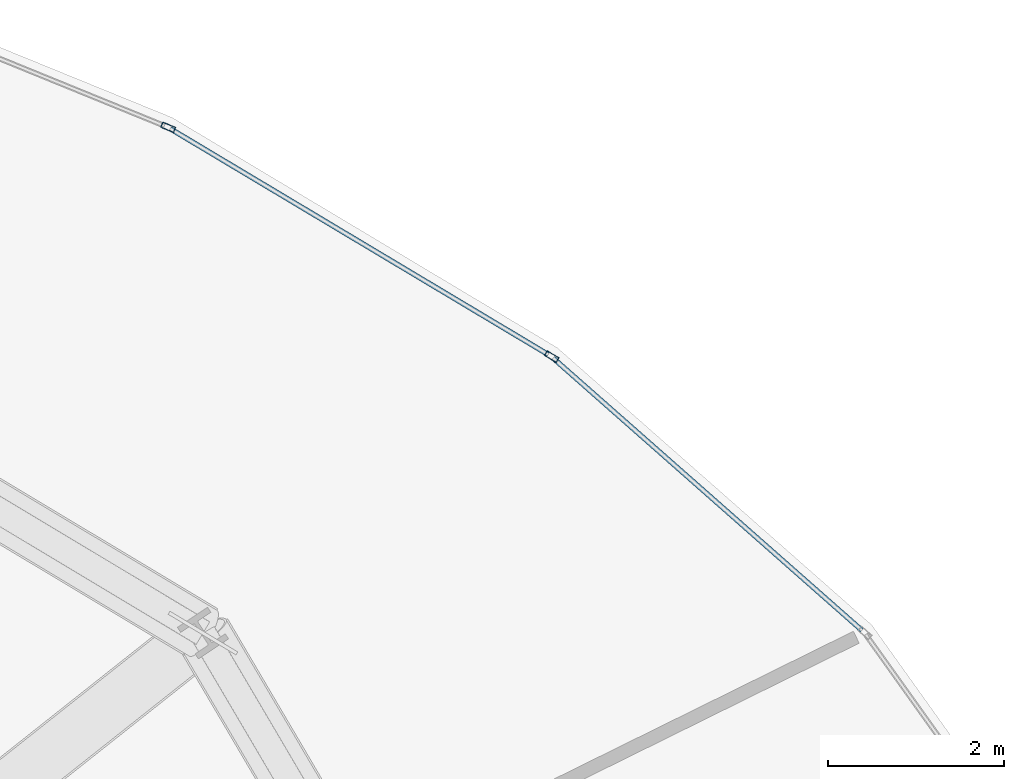
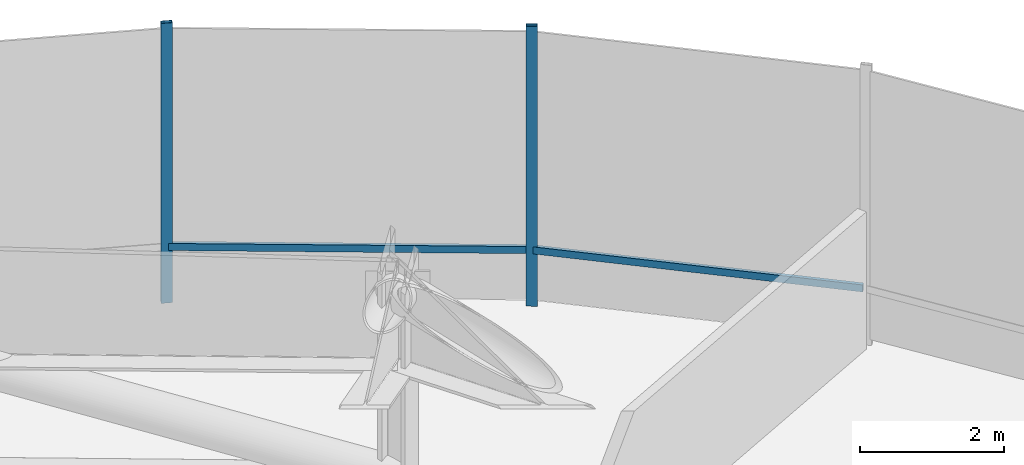
# One storey, part 24 of 33: 4 members, 1 element without a shape of its own.
"""IFC4 building model written with IfcOpenShell, lengths in metres."""

from ifc_helpers import new_model, si_unit, direction, frame, origin, origin_2d, place, context, subcontext, project, spatial, hollow_rectangle, extrude, source, transform, mapped, material, layer, layer_set, material_profile, profile_set, type_object, element, aggregate, save


model = new_model("IFC4")

# Units and contexts
model_context = context("Model", 3, precision=1e-05, world=origin(), true_north=direction((0.0, 1.0)))
body_context = subcontext(model_context, "Body", "Model", "MODEL_VIEW")
ifc_project = project(units=[si_unit("LENGTHUNIT", "METRE"), si_unit("AREAUNIT", "SQUARE_METRE"), si_unit("VOLUMEUNIT", "CUBIC_METRE"), si_unit("PLANEANGLEUNIT", "RADIAN"), si_unit("MASSUNIT", "GRAM", prefix="KILO"), si_unit("THERMODYNAMICTEMPERATUREUNIT", "KELVIN")], contexts=[model_context])

# Site, building, storey
site_placement = place(None, origin())
site = spatial("IfcSite", under=ifc_project, at=site_placement, CompositionType="ELEMENT")
building_placement = place(site_placement, origin())
building = spatial("IfcBuilding", under=site, at=building_placement, Name="Kethvar Cultural Tower", CompositionType="ELEMENT")
storey_placement = place(building_placement, frame((0.0, 0.0, 80.39990234375)))
storey = spatial("IfcBuildingStorey", under=building, at=storey_placement, Name="L19", CompositionType="ELEMENT", Elevation=80.39990234375)

# Curtain wall, members
ifc_material = material(Name="Aluminium 6063-T6", Category="aluminium")
ifc_layer = layer(ifc_material, 0.179931640625, Name="Aluminium 6063-T6", Category="aluminium")
ifc_layer_set = layer_set([ifc_layer], Name="Aluminium 6063-T6 (180 mm)")
curtain_wall_type = type_object("IfcCurtainWallType", Name="CW-SYS-02-Z1", PredefinedType="NOTDEFINED", material=ifc_layer_set)
curtain_wall_placement = place(storey_placement, origin())
curtain_wall = element("IfcCurtainWall", 1, at=curtain_wall_placement, inside=storey, type_object=curtain_wall_type, Name="L19 Curtain Wall Run 01", PredefinedType="NOTDEFINED")
ifc_material_profile_1 = material_profile(ifc_material, hollow_rectangle(XDim=0.06494140625, YDim=0.159912109375, WallThickness=0.0048828125, at=origin_2d()), Name="Aluminium 6063-T6 — RHS160x65x5")
ifc_profile_set_1 = profile_set([ifc_material_profile_1], Name="Aluminium 6063-T6 — RHS160x65x5")
member_type_1 = type_object("IfcMemberType", Name="CW-SYS-02-Z1-MUL", PredefinedType="MULLION", material=ifc_profile_set_1)
shared_shape_1 = source(origin(), body_context, "Body", "SweptSolid", [
    extrude(hollow_rectangle(XDim=0.06494140625, YDim=0.159912109375, WallThickness=0.0048828125, at=origin_2d()), origin(), (0.0, 0.0, 1.0), 4.760009765625),
])
member_1_placement = place(storey_placement, frame((72.305908203125, 45.33740234375, 0.0), z_axis=(0.0, 0.0, 1.0), x_axis=(-0.512912119712, -0.858441120551, 0.0)))
member_1 = element("IfcMember", 2, at=member_1_placement, type_object=member_type_1, Name="CW-L19-R01 Mullion 4", PredefinedType="MULLION", context=body_context, shape_type="MappedRepresentation", body=[
    mapped(shared_shape_1, transform((0.0, 0.0, 0.0), scale=1.0)),
])
member_2_placement = place(storey_placement, frame((67.940185546875, 47.947509765625, 0.0), z_axis=(0.0, 0.0, 1.0), x_axis=(-0.377566058858, -0.925982651672, 0.0)))
member_2 = element("IfcMember", 3, at=member_2_placement, type_object=member_type_1, Name="CW-L19-R01 Mullion 5", PredefinedType="MULLION", context=body_context, shape_type="MappedRepresentation", body=[
    mapped(shared_shape_1, transform((0.0, 0.0, 0.0), scale=1.0)),
])
ifc_material_profile_2 = material_profile(ifc_material, hollow_rectangle(XDim=0.054931640625, YDim=0.1201171875, WallThickness=0.00390625, at=origin_2d()), Name="Aluminium 6063-T6 — RHS120x55x4")
ifc_profile_set_2 = profile_set([ifc_material_profile_2], Name="Aluminium 6063-T6 — RHS120x55x4")
member_type_2 = type_object("IfcMemberType", Name="CW-SYS-02-Z1-TRN", PredefinedType="USERDEFINED", material=ifc_profile_set_2)
shared_shape_2 = source(origin(), body_context, "Body", "SweptSolid", [
    extrude(hollow_rectangle(XDim=0.054931640625, YDim=0.1201171875, WallThickness=0.00390625, at=origin_2d()), origin(), (0.0, 0.0, 1.0), 4.682861328125),
])
member_3_placement = place(storey_placement, frame((75.8359375, 42.22265625, 0.9501953125), z_axis=(-0.750129905053, 0.661290500117, 0.0), x_axis=(-0.661290500117, -0.750129905053, 0.0)))
member_3 = element("IfcMember", 4, at=member_3_placement, type_object=member_type_2, Name="CW-L19-R01 Transom 3", ObjectType="TRANSOM", PredefinedType="USERDEFINED", context=body_context, shape_type="MappedRepresentation", body=[
    mapped(shared_shape_2, transform((0.0, 0.0, 0.0), scale=1.0)),
])
shared_shape_3 = source(origin(), body_context, "Body", "SweptSolid", [
    extrude(hollow_rectangle(XDim=0.054931640625, YDim=0.1201171875, WallThickness=0.00390625, at=origin_2d()), origin(), (0.0, 0.0, 1.0), 5.010986328125),
])
member_4_placement = place(storey_placement, frame((72.265625, 45.361328125, 0.9501953125), z_axis=(-0.858424389887, 0.512940120139, 0.0), x_axis=(-0.512940120139, -0.858424389887, 0.0)))
member_4 = element("IfcMember", 5, at=member_4_placement, type_object=member_type_2, Name="CW-L19-R01 Transom 4", ObjectType="TRANSOM", PredefinedType="USERDEFINED", context=body_context, shape_type="MappedRepresentation", body=[
    mapped(shared_shape_3, transform((0.0, 0.0, 0.0), scale=1.0)),
])
aggregate(curtain_wall, [member_1, member_2, member_3, member_4])

save(model, "model.ifc")
